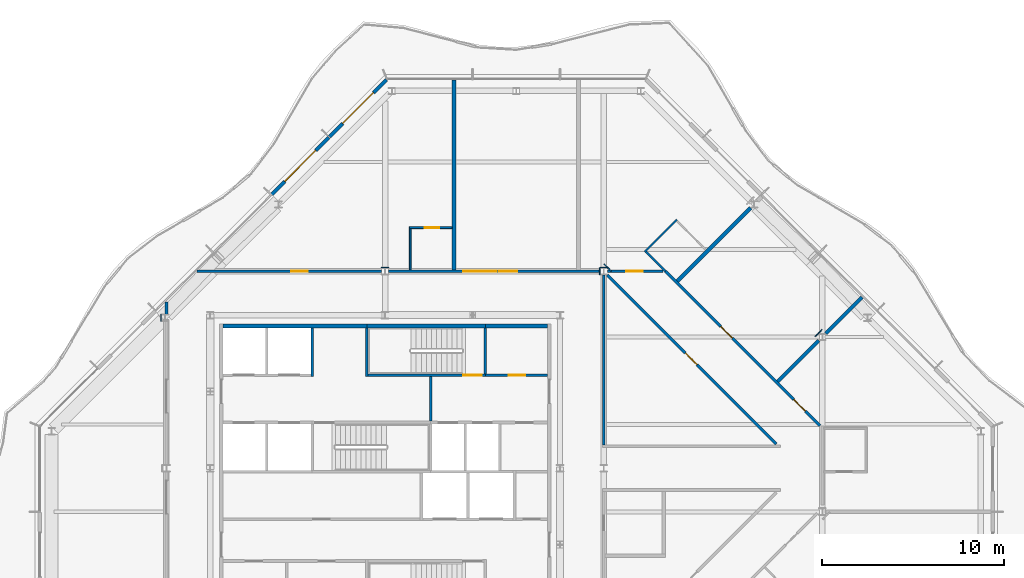
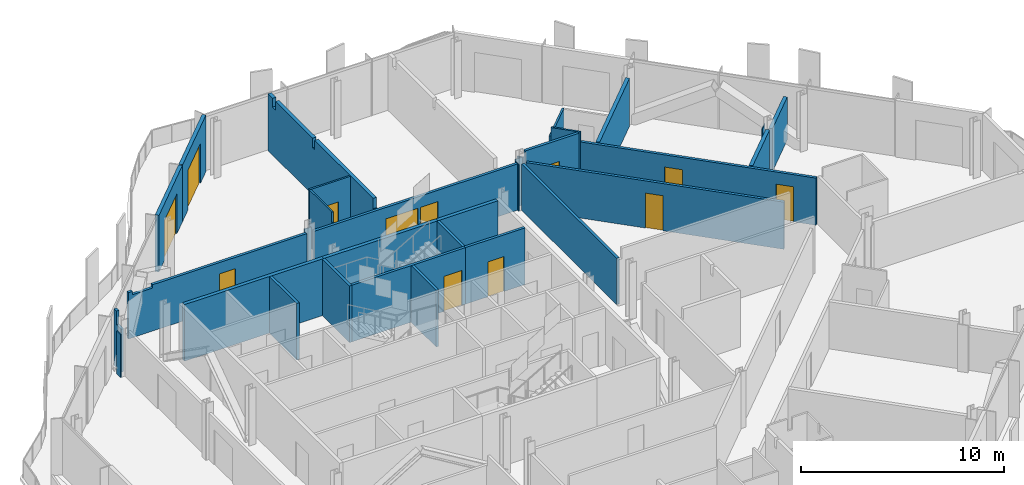
# One storey, part 11 of 17: 32 walls, 12 doors, 12 openings.
"""IFC4 building model written with IfcOpenShell, lengths in metres."""

from ifc_helpers import new_model, si_unit, direction, frame, frame_2d, origin, place, context, subcontext, project, spatial, polyline, rectangle, outline, extrude, material, layer, layer_set, type_object, element, fill, save


model = new_model("IFC4")

# Units and contexts
model_context = context("Model", 3, precision=1e-05, world=origin(), true_north=direction((0.0, 1.0)))
body_context = subcontext(model_context, "Body", "Model", "MODEL_VIEW")
ifc_project = project(units=[si_unit("LENGTHUNIT", "METRE"), si_unit("AREAUNIT", "SQUARE_METRE"), si_unit("VOLUMEUNIT", "CUBIC_METRE"), si_unit("PLANEANGLEUNIT", "RADIAN"), si_unit("MASSUNIT", "GRAM", prefix="KILO")], contexts=[model_context])

# Site, building, storey
site_placement = place(None, origin())
site = spatial("IfcSite", under=ifc_project, at=site_placement, CompositionType="ELEMENT")
building_placement = place(site_placement, origin())
building = spatial("IfcBuilding", under=site, at=building_placement, Name="Cairn Pilgrim Tower", CompositionType="ELEMENT")
storey_placement = place(building_placement, frame((0.0, 0.0, 292.199951171875)))
storey = spatial("IfcBuildingStorey", under=building, at=storey_placement, Name="L75", CompositionType="ELEMENT", Elevation=292.199951171875)

# Wall, opening, door
ifc_material_1 = material(Name="Bronze anodised aluminium insulated sandwich panel with mineral wool fill", Category="aluminium")
ifc_layer_1 = layer(ifc_material_1, 0.199951171875)
ifc_layer_set_1 = layer_set([ifc_layer_1], Name="BRONZE INFILL FRAME WALL 200")
wall_type_1 = type_object("IfcWallType", Name="BRONZE INFILL FRAME WALL 200", PredefinedType="NOTDEFINED", material=ifc_layer_set_1)
wall_1_placement = place(storey_placement, frame((7.275390625, 23.7216796875, 0.0), z_axis=(0.0, 0.0, 1.0), x_axis=(-0.707134392299, -0.707079168996, 0.0)))
wall_1 = element("IfcWall", 1, at=wall_1_placement, inside=storey, type_object=wall_type_1, Name="Bronze infill frame wall IW-NW1", PredefinedType="NOTDEFINED", context=body_context, shape_type="SweptSolid", body=[
    extrude(rectangle(XDim=4.4208984375, YDim=0.199951171875, at=frame_2d((2.21044921875, 0.0))), origin(), (0.0, 0.0, 1.0), 3.400146484375),
])
opening_1_placement = place(wall_1_placement, frame((1.00537109375, 0.0, 0.0)))
opening_1 = element("IfcOpeningElement", 2, at=opening_1_placement, cuts=wall_1, Name="Opening 7509B2", PredefinedType="OPENING", context=body_context, shape_type="SweptSolid", body=[
    extrude(rectangle(XDim=2.39990234375, YDim=2.39990234375, at=frame_2d((1.199951171875, 1.199951171875))), frame((0.0, 0.10986328125, 0.0), z_axis=(0.0, -1.0, 0.0), x_axis=(1.0, 0.0, 0.0)), (0.0, 0.0, 1.0), 0.219970703125),
])
ifc_material_2 = material(Name="Bronze anodised aluminium frame with tinted low-E glass", Category="aluminium")
door_type_1 = type_object("IfcDoorType", Name="BALCONY SLIDING DOOR 2400x2400", OperationType="DOUBLE_DOOR_SLIDING", PredefinedType="DOOR", material=ifc_material_2)
door_1_placement = place(opening_1_placement, origin())
door_1 = element("IfcDoor", 3, at=door_1_placement, inside=storey, type_object=door_type_1, Name="Balcony sliding door 7509B2", OperationType="SINGLE_SWING_LEFT", OverallHeight=2.39990234375, OverallWidth=2.39990234375, PredefinedType="DOOR", context=body_context, shape_type="SweptSolid", body=[
    extrude(rectangle(XDim=2.39990234375, YDim=2.39990234375, at=frame_2d((1.199951171875, 1.199951171875))), frame((0.0, 0.02490234375, 0.0), z_axis=(0.0, -1.0, 0.0), x_axis=(1.0, 0.0, 0.0)), (0.0, 0.0, 1.0), 0.050048828125),
])
fill(opening_1, door_1)

wall_2_placement = place(storey_placement, frame((4.106689453125, 20.55322265625, 0.0), z_axis=(0.0, 0.0, 1.0), x_axis=(-0.707079231393, -0.707134329907, 0.0)))
wall_2 = element("IfcWall", 4, at=wall_2_placement, inside=storey, type_object=wall_type_1, Name="Bronze infill frame wall IW-NW2", PredefinedType="NOTDEFINED", context=body_context, shape_type="SweptSolid", body=[
    extrude(rectangle(XDim=4.430908203125, YDim=0.199951171875, at=frame_2d((2.21533203125, 0.0))), origin(), (0.0, 0.0, 1.0), 3.400146484375),
])
opening_2_placement = place(wall_2_placement, frame((1.015380859375, 0.0, 0.0)))
opening_2 = element("IfcOpeningElement", 5, at=opening_2_placement, cuts=wall_2, Name="Opening 7509B", PredefinedType="OPENING", context=body_context, shape_type="SweptSolid", body=[
    extrude(rectangle(XDim=2.39990234375, YDim=2.39990234375, at=frame_2d((1.199951171875, 1.199951171875))), frame((0.0, 0.10986328125, 0.0), z_axis=(0.0, -1.0, 0.0), x_axis=(1.0, 0.0, 0.0)), (0.0, 0.0, 1.0), 0.219970703125),
])
door_2_placement = place(opening_2_placement, origin())
door_2 = element("IfcDoor", 6, at=door_2_placement, inside=storey, type_object=door_type_1, Name="Balcony sliding door 7509B", OperationType="SINGLE_SWING_LEFT", OverallHeight=2.39990234375, OverallWidth=2.39990234375, PredefinedType="DOOR", context=body_context, shape_type="SweptSolid", body=[
    extrude(rectangle(XDim=2.39990234375, YDim=2.39990234375, at=frame_2d((1.199951171875, 1.199951171875))), frame((0.0, 0.02490234375, 0.0), z_axis=(0.0, -1.0, 0.0), x_axis=(1.0, 0.0, 0.0)), (0.0, 0.0, 1.0), 0.050048828125),
])
fill(opening_2, door_2)

# Walls
ifc_material_3 = material(Name="Concrete C32/40", Category="concrete")
ifc_layer_2 = layer(ifc_material_3, 0.199951171875)
ifc_layer_set_2 = layer_set([ifc_layer_2], Name="CORE OUTER WALL 200 EI 120")
wall_type_2 = type_object("IfcWallType", Name="CORE OUTER WALL 200 EI 120", PredefinedType="SOLIDWALL", material=ifc_layer_set_2)
wall_3_placement = place(storey_placement, frame((-1.699951171875, 10.199951171875, 0.0), z_axis=(0.0, 0.0, 1.0), x_axis=(1.0, 0.0, 0.0)))
element("IfcWall", 7, at=wall_3_placement, inside=storey, type_object=wall_type_2, Name="CW:L75:H12-1", PredefinedType="SOLIDWALL", context=body_context, shape_type="SweptSolid", body=[
    extrude(rectangle(XDim=7.89990234375, YDim=0.199951171875, at=frame_2d((3.949951171875, 0.0))), origin(), (0.0, 0.0, 1.0), 3.400146484375),
])
wall_4_placement = place(storey_placement, frame((12.699951171875, 10.199951171875, 0.0), z_axis=(0.0, 0.0, 1.0), x_axis=(1.0, 0.0, 0.0)))
element("IfcWall", 8, at=wall_4_placement, inside=storey, type_object=wall_type_2, Name="CW:L75:H12-3", PredefinedType="SOLIDWALL", context=body_context, shape_type="SweptSolid", body=[
    extrude(rectangle(XDim=3.400146484375, YDim=0.199951171875, at=frame_2d((1.7001953125, 0.0))), origin(), (0.0, 0.0, 1.0), 3.400146484375),
])

# Wall, opening, door
ifc_layer_3 = layer(ifc_material_3, 0.14990234375)
ifc_layer_set_3 = layer_set([ifc_layer_3], Name="CORE SHAFT WALL 150 EI 120")
wall_type_3 = type_object("IfcWallType", Name="CORE SHAFT WALL 150 EI 120", PredefinedType="SOLIDWALL", material=ifc_layer_set_3)
wall_5_placement = place(storey_placement, frame((12.699951171875, 7.5, 0.0), z_axis=(0.0, 0.0, 1.0), x_axis=(1.0, 0.0, 0.0)))
wall_5 = element("IfcWall", 9, at=wall_5_placement, inside=storey, type_object=wall_type_3, Name="CW:L75:H11-2", PredefinedType="SOLIDWALL", context=body_context, shape_type="SweptSolid", body=[
    extrude(rectangle(XDim=3.400146484375, YDim=0.14990234375, at=frame_2d((1.7001953125, 0.0))), origin(), (0.0, 0.0, 1.0), 3.400146484375),
])
opening_3_placement = place(wall_5_placement, frame((1.300048828125, 0.0, 0.0)))
opening_3 = element("IfcOpeningElement", 10, at=opening_3_placement, cuts=wall_5, Name="Opening RD-R4E", PredefinedType="OPENING", context=body_context, shape_type="SweptSolid", body=[
    extrude(rectangle(XDim=0.89990234375, YDim=2.10009765625, at=frame_2d((0.449951171875, 1.050048828125))), frame((0.0, 0.0849609375, 0.0), z_axis=(0.0, -1.0, 0.0), x_axis=(1.0, 0.0, 0.0)), (0.0, 0.0, 1.0), 0.169921875),
])
ifc_material_4 = material(Name="Painted steel", Category="steel")
door_type_2 = type_object("IfcDoorType", Name="SERVICE ROOM DOOR 900x2100", OperationType="SINGLE_SWING_LEFT", PredefinedType="DOOR", material=ifc_material_4)
door_3_placement = place(opening_3_placement, origin())
door_3 = element("IfcDoor", 11, at=door_3_placement, inside=storey, type_object=door_type_2, Name="RD-R4E", OperationType="SINGLE_SWING_LEFT", OverallHeight=2.10009765625, OverallWidth=0.89990234375, PredefinedType="DOOR", context=body_context, shape_type="SweptSolid", body=[
    extrude(rectangle(XDim=0.89990234375, YDim=2.10009765625, at=frame_2d((0.449951171875, 1.050048828125))), frame((0.0, 0.02490234375, 0.0), z_axis=(0.0, -1.0, 0.0), x_axis=(1.0, 0.0, 0.0)), (0.0, 0.0, 1.0), 0.050048828125),
])
fill(opening_3, door_3)

# Walls
wall_6_placement = place(storey_placement, frame((3.199951171875, 7.425048828125, 0.0), z_axis=(0.0, 0.0, 1.0), x_axis=(0.0, 1.0, 0.0)))
element("IfcWall", 12, at=wall_6_placement, inside=storey, type_object=wall_type_3, Name="CW:L75:V18", PredefinedType="SOLIDWALL", context=body_context, shape_type="SweptSolid", body=[
    extrude(rectangle(XDim=2.675048828125, YDim=0.14990234375, at=frame_2d((1.33740234375, 0.0))), origin(), (0.0, 0.0, 1.0), 3.400146484375),
])
wall_7_placement = place(storey_placement, frame((9.699951171875, 4.97509765625, 0.0), z_axis=(0.0, 0.0, 1.0), x_axis=(0.0, 1.0, 0.0)))
element("IfcWall", 13, at=wall_7_placement, inside=storey, type_object=wall_type_3, Name="CW:L75:V23", PredefinedType="SOLIDWALL", context=body_context, shape_type="SweptSolid", body=[
    extrude(rectangle(XDim=2.449951171875, YDim=0.14990234375, at=frame_2d((1.22509765625, 0.0))), origin(), (0.0, 0.0, 1.0), 3.400146484375),
])
ifc_material_5 = material(Name="Gypsum partition")
ifc_layer_4 = layer(ifc_material_5, 0.10009765625)
ifc_layer_set_4 = layer_set([ifc_layer_4], Name="PARTITION 100 DRYWALL")
wall_type_4 = type_object("IfcWallType", Name="PARTITION 100 DRYWALL", PredefinedType="PARTITIONING", material=ifc_layer_set_4)
wall_8_placement = place(storey_placement, frame((22.593994140625, 13.199951171875, 0.0), z_axis=(0.0, 0.0, 1.0), x_axis=(-0.707106781187, 0.707106781187, 0.0)))
element("IfcWall", 14, at=wall_8_placement, inside=storey, type_object=wall_type_4, Name="PARTITION W053", PredefinedType="PARTITIONING", context=body_context, shape_type="SweptSolid", body=[
    extrude(rectangle(XDim=1.513916015625, YDim=0.10009765625, at=frame_2d((0.7568359375, 0.0))), origin(), (0.0, 0.0, 1.0), 3.400146484375),
])
wall_9_placement = place(storey_placement, frame((8.5859375, 13.27490234375, 0.0), z_axis=(0.0, 0.0, 1.0), x_axis=(0.0, 1.0, 0.0)))
element("IfcWall", 15, at=wall_9_placement, inside=storey, type_object=wall_type_4, Name="PARTITION W054", PredefinedType="PARTITIONING", context=body_context, shape_type="SweptSolid", body=[
    extrude(outline(polyline([(0.0, 0.0), (2.275146484375, 0.0), (2.27490234375, 3.400146484375), (0.074951171875, 3.400146484375), (0.072998046875, 2.780029296875), (0.0, 2.780029296875), (0.0, 0.0)])), frame((0.0, 0.050048828125, 0.0), z_axis=(0.0, -1.0, 0.0), x_axis=(1.0, 0.0, 0.0)), (0.0, 0.0, 1.0), 0.10009765625),
])
wall_10_placement = place(storey_placement, frame((21.45263671875, 14.2705078125, 0.0), z_axis=(0.0, 0.0, 1.0), x_axis=(0.707057949532, 0.707155609469, 0.0)))
element("IfcWall", 16, at=wall_10_placement, inside=storey, type_object=wall_type_4, Name="PARTITION W057", PredefinedType="PARTITIONING", context=body_context, shape_type="SweptSolid", body=[
    extrude(rectangle(XDim=2.5, YDim=0.10009765625, at=frame_2d((1.25, 0.0))), origin(), (0.0, 0.0, 1.0), 2.880126953125),
])

# Wall, opening, door
wall_11_placement = place(storey_placement, frame((8.535888671875, 15.60009765625, 0.0), z_axis=(0.0, 0.0, 1.0), x_axis=(1.0, 0.0, 0.0)))
wall_11 = element("IfcWall", 17, at=wall_11_placement, inside=storey, type_object=wall_type_4, Name="PARTITION W059", PredefinedType="PARTITIONING", context=body_context, shape_type="SweptSolid", body=[
    extrude(rectangle(XDim=2.35009765625, YDim=0.10009765625, at=frame_2d((1.175048828125, 0.0))), origin(), (0.0, 0.0, 1.0), 3.400146484375),
])
opening_4_placement = place(wall_11_placement, frame((0.85009765625, 0.0, 0.0)))
opening_4 = element("IfcOpeningElement", 18, at=opening_4_placement, cuts=wall_11, Name="Opening 7509A", PredefinedType="OPENING", context=body_context, shape_type="SweptSolid", body=[
    extrude(rectangle(XDim=0.800048828125, YDim=2.10009765625, at=frame_2d((0.39990234375, 1.050048828125))), frame((0.0, 0.06005859375, 0.0), z_axis=(0.0, -1.0, 0.0), x_axis=(1.0, 0.0, 0.0)), (0.0, 0.0, 1.0), 0.1201171875),
])
ifc_material_6 = material(Name="Timber door leaf", Category="wood")
door_type_3 = type_object("IfcDoorType", Name="WC DOOR 800x2100", OperationType="NOTDEFINED", PredefinedType="DOOR", material=ifc_material_6)
door_4_placement = place(opening_4_placement, origin())
door_4 = element("IfcDoor", 19, at=door_4_placement, inside=storey, type_object=door_type_3, Name="DOOR 7509A", OperationType="SINGLE_SWING_LEFT", OverallHeight=2.10009765625, OverallWidth=0.800048828125, PredefinedType="DOOR", context=body_context, shape_type="SweptSolid", body=[
    extrude(rectangle(XDim=0.800048828125, YDim=2.10009765625, at=frame_2d((0.39990234375, 1.050048828125))), frame((0.0, 0.02490234375, 0.0), z_axis=(0.0, -1.0, 0.0), x_axis=(1.0, 0.0, 0.0)), (0.0, 0.0, 1.0), 0.050048828125),
])
fill(opening_4, door_4)

# Wall
ifc_layer_5 = layer(ifc_material_5, 0.14990234375)
ifc_layer_set_5 = layer_set([ifc_layer_5], Name="PARTITION 150 DRYWALL EI 60")
wall_type_5 = type_object("IfcWallType", Name="PARTITION 150 DRYWALL EI 60", PredefinedType="PARTITIONING", material=ifc_layer_set_5)
wall_12_placement = place(storey_placement, frame((19.199951171875, 3.675048828125, 0.0), z_axis=(0.0, 0.0, 1.0), x_axis=(0.0, 1.0, 0.0)))
element("IfcWall", 20, at=wall_12_placement, inside=storey, type_object=wall_type_5, Name="PARTITION W042", PredefinedType="PARTITIONING", context=body_context, shape_type="SweptSolid", body=[
    extrude(rectangle(XDim=9.33740234375, YDim=0.14990234375, at=frame_2d((4.668701171875, 0.0))), origin(), (0.0, 0.0, 1.0), 2.780029296875),
])

# Wall, opening, door
wall_13_placement = place(storey_placement, frame((28.672119140625, 3.72802734375, 0.0), z_axis=(0.0, 0.0, 1.0), x_axis=(-0.707106781187, 0.707106781187, 0.0)))
wall_13 = element("IfcWall", 21, at=wall_13_placement, inside=storey, type_object=wall_type_5, Name="PARTITION W043", PredefinedType="PARTITIONING", context=body_context, shape_type="SweptSolid", body=[
    extrude(rectangle(XDim=13.12353515625, YDim=0.14990234375, at=frame_2d((6.561767578125, 0.0))), origin(), (0.0, 0.0, 1.0), 2.830078125),
])
opening_5_placement = place(wall_13_placement, frame((6.156982421875, 0.0, 0.0)))
opening_5 = element("IfcOpeningElement", 22, at=opening_5_placement, cuts=wall_13, Name="Opening 7514", PredefinedType="OPENING", context=body_context, shape_type="SweptSolid", body=[
    extrude(rectangle(XDim=0.89990234375, YDim=2.10009765625, at=frame_2d((0.449951171875, 1.050048828125))), frame((0.0, 0.0849609375, 0.0), z_axis=(0.0, -1.0, 0.0), x_axis=(1.0, 0.0, 0.0)), (0.0, 0.0, 1.0), 0.169921875),
])
door_type_4 = type_object("IfcDoorType", Name="SERVICE DOOR 900x2100 FD30S", OperationType="NOTDEFINED", PredefinedType="DOOR", material=ifc_material_6)
door_5_placement = place(opening_5_placement, origin())
door_5 = element("IfcDoor", 23, at=door_5_placement, inside=storey, type_object=door_type_4, Name="DOOR 7514", OperationType="SINGLE_SWING_RIGHT", OverallHeight=2.10009765625, OverallWidth=0.89990234375, PredefinedType="DOOR", context=body_context, shape_type="SweptSolid", body=[
    extrude(rectangle(XDim=0.89990234375, YDim=2.10009765625, at=frame_2d((0.449951171875, 1.050048828125))), frame((0.0, 0.02490234375, 0.0), z_axis=(0.0, -1.0, 0.0), x_axis=(1.0, 0.0, 0.0)), (0.0, 0.0, 1.0), 0.050048828125),
])
fill(opening_5, door_5)

# Wall, openings, doors
wall_14_placement = place(storey_placement, frame((31.072021484375, 4.721923828125, 0.0), z_axis=(0.0, 0.0, 1.0), x_axis=(-0.707106781187, 0.707106781187, 0.0)))
wall_14 = element("IfcWall", 24, at=wall_14_placement, inside=storey, type_object=wall_type_5, Name="PARTITION W045", PredefinedType="PARTITIONING", context=body_context, shape_type="SweptSolid", body=[
    extrude(rectangle(XDim=11.98974609375, YDim=0.14990234375, at=frame_2d((5.994873046875, 0.0))), origin(), (0.0, 0.0, 1.0), 2.830078125),
])
opening_6_placement = place(wall_14_placement, frame((1.138671875, 0.0, 0.0)))
opening_6 = element("IfcOpeningElement", 25, at=opening_6_placement, cuts=wall_14, Name="Opening 7506", PredefinedType="OPENING", context=body_context, shape_type="SweptSolid", body=[
    extrude(rectangle(XDim=0.89990234375, YDim=2.10009765625, at=frame_2d((0.449951171875, 1.050048828125))), frame((0.0, 0.0849609375, 0.0), z_axis=(0.0, -1.0, 0.0), x_axis=(1.0, 0.0, 0.0)), (0.0, 0.0, 1.0), 0.169921875),
])
opening_7_placement = place(wall_14_placement, frame((6.805908203125, 0.0, 0.0)))
opening_7 = element("IfcOpeningElement", 26, at=opening_7_placement, cuts=wall_14, Name="Opening 7507", PredefinedType="OPENING", context=body_context, shape_type="SweptSolid", body=[
    extrude(rectangle(XDim=0.89990234375, YDim=2.10009765625, at=frame_2d((0.449951171875, 1.050048828125))), frame((0.0, 0.0849609375, 0.0), z_axis=(0.0, -1.0, 0.0), x_axis=(1.0, 0.0, 0.0)), (0.0, 0.0, 1.0), 0.169921875),
])
door_type_5 = type_object("IfcDoorType", Name="ROOM DOOR 900x2100 FD30S", OperationType="NOTDEFINED", PredefinedType="DOOR", material=ifc_material_6)
door_6_placement = place(opening_6_placement, frame((0.89990234375, 0.0, 0.0), z_axis=(0.0, 0.0, 1.0), x_axis=(-1.0, 0.0, 0.0)))
door_6 = element("IfcDoor", 27, at=door_6_placement, inside=storey, type_object=door_type_5, Name="DOOR 7506", OperationType="SINGLE_SWING_LEFT", OverallHeight=2.10009765625, OverallWidth=0.89990234375, PredefinedType="DOOR", context=body_context, shape_type="SweptSolid", body=[
    extrude(rectangle(XDim=0.89990234375, YDim=2.10009765625, at=frame_2d((0.449951171875, 1.050048828125))), frame((0.0, 0.02490234375, 0.0), z_axis=(0.0, -1.0, 0.0), x_axis=(1.0, 0.0, 0.0)), (0.0, 0.0, 1.0), 0.050048828125),
])
fill(opening_6, door_6)
door_7_placement = place(opening_7_placement, frame((0.89990234375, 0.0, 0.0), z_axis=(0.0, 0.0, 1.0), x_axis=(-1.0, 0.0, 0.0)))
door_7 = element("IfcDoor", 28, at=door_7_placement, inside=storey, type_object=door_type_4, Name="DOOR 7507", OperationType="SINGLE_SWING_LEFT", OverallHeight=2.10009765625, OverallWidth=0.89990234375, PredefinedType="DOOR", context=body_context, shape_type="SweptSolid", body=[
    extrude(rectangle(XDim=0.89990234375, YDim=2.10009765625, at=frame_2d((0.449951171875, 1.050048828125))), frame((0.0, 0.02490234375, 0.0), z_axis=(0.0, -1.0, 0.0), x_axis=(1.0, 0.0, 0.0)), (0.0, 0.0, 1.0), 0.050048828125),
])
fill(opening_7, door_7)

# Wall
wall_15_placement = place(storey_placement, frame((-4.800048828125, 10.83544921875, 0.0), z_axis=(0.0, 0.0, 1.0), x_axis=(0.0, 1.0, 0.0)))
element("IfcWall", 29, at=wall_15_placement, inside=storey, type_object=wall_type_5, Name="PARTITION W048", PredefinedType="PARTITIONING", context=body_context, shape_type="SweptSolid", body=[
    extrude(outline(polyline([(0.0, 0.0), (0.690673828125, 0.0), (0.690673828125, 3.400146484375), (0.461669921875, 3.400146484375), (0.459716796875, 2.580078125), (0.0, 2.580078125), (0.0, 0.0)])), frame((0.0, 0.074951171875, 0.0), z_axis=(0.0, -1.0, 0.0), x_axis=(1.0, 0.0, 0.0)), (0.0, 0.0, 1.0), 0.14990234375),
])

# Wall, opening, door
wall_16_placement = place(storey_placement, frame((-3.126220703125, 13.199951171875, 0.0), z_axis=(0.0, 0.0, 1.0), x_axis=(1.0, 0.0, 0.0)))
wall_16 = element("IfcWall", 30, at=wall_16_placement, inside=storey, type_object=wall_type_5, Name="PARTITION W050", PredefinedType="PARTITIONING", context=body_context, shape_type="SweptSolid", body=[
    extrude(outline(polyline([(0.0, 0.0), (10.129150390625, 0.0), (10.129150390625, 2.780029296875), (1.368896484375, 2.780029296875), (1.366943359375, 2.580078125), (0.22900390625, 2.580078125), (0.226806640625, 2.780029296875), (0.0, 2.780029296875), (0.0, 0.0)])), frame((0.0, 0.074951171875, 0.0), z_axis=(0.0, -1.0, 0.0), x_axis=(1.0, 0.0, 0.0)), (0.0, 0.0, 1.0), 0.14990234375),
])
opening_8_placement = place(wall_16_placement, frame((5.169189453125, 0.0, 0.0)))
opening_8 = element("IfcOpeningElement", 31, at=opening_8_placement, cuts=wall_16, Name="Opening 7509", PredefinedType="OPENING", context=body_context, shape_type="SweptSolid", body=[
    extrude(rectangle(XDim=0.89990234375, YDim=2.10009765625, at=frame_2d((0.449951171875, 1.050048828125))), frame((0.0, 0.0849609375, 0.0), z_axis=(0.0, -1.0, 0.0), x_axis=(1.0, 0.0, 0.0)), (0.0, 0.0, 1.0), 0.169921875),
])
door_8_placement = place(opening_8_placement, origin())
door_8 = element("IfcDoor", 32, at=door_8_placement, inside=storey, type_object=door_type_5, Name="DOOR 7509", OperationType="SINGLE_SWING_LEFT", OverallHeight=2.10009765625, OverallWidth=0.89990234375, PredefinedType="DOOR", context=body_context, shape_type="SweptSolid", body=[
    extrude(rectangle(XDim=0.89990234375, YDim=2.10009765625, at=frame_2d((0.449951171875, 1.050048828125))), frame((0.0, 0.02490234375, 0.0), z_axis=(0.0, -1.0, 0.0), x_axis=(1.0, 0.0, 0.0)), (0.0, 0.0, 1.0), 0.050048828125),
])
fill(opening_8, door_8)

# Wall, openings, doors
wall_17_placement = place(storey_placement, frame((7.39697265625, 13.199951171875, 0.0), z_axis=(0.0, 0.0, 1.0), x_axis=(1.0, 0.0, 0.0)))
wall_17 = element("IfcWall", 33, at=wall_17_placement, inside=storey, type_object=wall_type_5, Name="PARTITION W051", PredefinedType="PARTITIONING", context=body_context, shape_type="SweptSolid", body=[
    extrude(rectangle(XDim=11.60595703125, YDim=0.14990234375, at=frame_2d((5.802978515625, 0.0))), origin(), (0.0, 0.0, 1.0), 2.780029296875),
])
opening_9_placement = place(wall_17_placement, frame((4.10302734375, 0.0, 0.0)))
opening_9 = element("IfcOpeningElement", 34, at=opening_9_placement, cuts=wall_17, Name="Opening 7501", PredefinedType="OPENING", context=body_context, shape_type="SweptSolid", body=[
    extrude(rectangle(XDim=1.800048828125, YDim=2.10009765625, at=frame_2d((0.89990234375, 1.050048828125))), frame((0.0, 0.0849609375, 0.0), z_axis=(0.0, -1.0, 0.0), x_axis=(1.0, 0.0, 0.0)), (0.0, 0.0, 1.0), 0.169921875),
])
opening_10_placement = place(wall_17_placement, frame((6.052978515625, 0.0, 0.0)))
opening_10 = element("IfcOpeningElement", 35, at=opening_10_placement, cuts=wall_17, Name="Opening 7501A", PredefinedType="OPENING", context=body_context, shape_type="SweptSolid", body=[
    extrude(rectangle(XDim=1.0, YDim=2.10009765625, at=frame_2d((0.5, 1.050048828125))), frame((0.0, 0.0849609375, 0.0), z_axis=(0.0, -1.0, 0.0), x_axis=(1.0, 0.0, 0.0)), (0.0, 0.0, 1.0), 0.169921875),
])
door_type_6 = type_object("IfcDoorType", Name="DOOR PAIR 1800x2100 FD60S", OperationType="NOTDEFINED", PredefinedType="DOOR", material=ifc_material_6)
door_9_placement = place(opening_9_placement, origin())
door_9 = element("IfcDoor", 36, at=door_9_placement, inside=storey, type_object=door_type_6, Name="DOOR 7501", OperationType="DOUBLE_DOOR_SINGLE_SWING", OverallHeight=2.10009765625, OverallWidth=1.800048828125, PredefinedType="DOOR", context=body_context, shape_type="SweptSolid", body=[
    extrude(rectangle(XDim=1.800048828125, YDim=2.10009765625, at=frame_2d((0.89990234375, 1.050048828125))), frame((0.0, 0.02490234375, 0.0), z_axis=(0.0, -1.0, 0.0), x_axis=(1.0, 0.0, 0.0)), (0.0, 0.0, 1.0), 0.050048828125),
])
fill(opening_9, door_9)
ifc_material_7 = material(Name="Steel-faced fire door leaf", Category="steel")
door_type_7 = type_object("IfcDoorType", Name="FIRE DOOR 1000x2100 FD60S", OperationType="NOTDEFINED", PredefinedType="DOOR", material=ifc_material_7)
door_10_placement = place(opening_10_placement, origin())
door_10 = element("IfcDoor", 37, at=door_10_placement, inside=storey, type_object=door_type_7, Name="DOOR 7501A", OperationType="SINGLE_SWING_RIGHT", OverallHeight=2.10009765625, OverallWidth=1.0, PredefinedType="DOOR", context=body_context, shape_type="SweptSolid", body=[
    extrude(rectangle(XDim=1.0, YDim=2.10009765625, at=frame_2d((0.5, 1.050048828125))), frame((0.0, 0.02490234375, 0.0), z_axis=(0.0, -1.0, 0.0), x_axis=(1.0, 0.0, 0.0)), (0.0, 0.0, 1.0), 0.050048828125),
])
fill(opening_10, door_10)

# Wall, opening, door
wall_18_placement = place(storey_placement, frame((19.39697265625, 13.199951171875, 0.0), z_axis=(0.0, 0.0, 1.0), x_axis=(1.0, 0.0, 0.0)))
wall_18 = element("IfcWall", 38, at=wall_18_placement, inside=storey, type_object=wall_type_5, Name="PARTITION W052", PredefinedType="PARTITIONING", context=body_context, shape_type="SweptSolid", body=[
    extrude(rectangle(XDim=3.05126953125, YDim=0.14990234375, at=frame_2d((1.525634765625, 0.0))), origin(), (0.0, 0.0, 1.0), 3.400146484375),
])
opening_11_placement = place(wall_18_placement, frame((1.050048828125, 0.0, 0.0)))
opening_11 = element("IfcOpeningElement", 39, at=opening_11_placement, cuts=wall_18, Name="Opening 7508", PredefinedType="OPENING", context=body_context, shape_type="SweptSolid", body=[
    extrude(rectangle(XDim=0.89990234375, YDim=2.10009765625, at=frame_2d((0.449951171875, 1.050048828125))), frame((0.0, 0.0849609375, 0.0), z_axis=(0.0, -1.0, 0.0), x_axis=(1.0, 0.0, 0.0)), (0.0, 0.0, 1.0), 0.169921875),
])
door_11_placement = place(opening_11_placement, origin())
door_11 = element("IfcDoor", 40, at=door_11_placement, inside=storey, type_object=door_type_5, Name="DOOR 7508", OperationType="SINGLE_SWING_LEFT", OverallHeight=2.10009765625, OverallWidth=0.89990234375, PredefinedType="DOOR", context=body_context, shape_type="SweptSolid", body=[
    extrude(rectangle(XDim=0.89990234375, YDim=2.10009765625, at=frame_2d((0.449951171875, 1.050048828125))), frame((0.0, 0.02490234375, 0.0), z_axis=(0.0, -1.0, 0.0), x_axis=(1.0, 0.0, 0.0)), (0.0, 0.0, 1.0), 0.050048828125),
])
fill(opening_11, door_11)

# Walls
ifc_layer_6 = layer(ifc_material_5, 0.050048828125)
ifc_layer_set_6 = layer_set([ifc_layer_6], Name="PARTITION 50 DRYWALL EI 60")
wall_type_6 = type_object("IfcWallType", Name="PARTITION 50 DRYWALL EI 60", PredefinedType="PARTITIONING", material=ifc_layer_set_6)
wall_19_placement = place(storey_placement, frame((-5.09619140625, 10.467529296875, 0.0), z_axis=(0.0, 0.0, 1.0), x_axis=(0.0, 1.0, 0.0)))
element("IfcWall", 41, at=wall_19_placement, inside=storey, type_object=wall_type_6, Name="COLUMN CASING WC10", PredefinedType="PARTITIONING", context=body_context, shape_type="SweptSolid", body=[
    extrude(rectangle(XDim=0.367919921875, YDim=0.050048828125, at=frame_2d((0.18408203125, 0.0))), origin(), (0.0, 0.0, 1.0), 2.580078125),
])
wall_20_placement = place(storey_placement, frame((18.97802734375, 13.012451171875, 0.0), z_axis=(0.0, 0.0, 1.0), x_axis=(0.0, 1.0, 0.0)))
element("IfcWall", 42, at=wall_20_placement, inside=storey, type_object=wall_type_6, Name="COLUMN CASING WC16", PredefinedType="PARTITIONING", context=body_context, shape_type="SweptSolid", body=[
    extrude(rectangle(XDim=0.375, YDim=0.050048828125, at=frame_2d((0.1875, 0.0))), origin(), (0.0, 0.0, 1.0), 2.780029296875),
])
wall_21_placement = place(storey_placement, frame((19.602294921875, 13.2177734375, 0.0), z_axis=(0.0, 0.0, 1.0), x_axis=(-0.707106781187, 0.707106781187, 0.0)))
element("IfcWall", 43, at=wall_21_placement, inside=storey, type_object=wall_type_6, Name="COLUMN CASING WC17", PredefinedType="PARTITIONING", context=body_context, shape_type="SweptSolid", body=[
    extrude(rectangle(XDim=0.543701171875, YDim=0.050048828125, at=frame_2d((0.27197265625, 0.0))), origin(), (0.0, 0.0, 1.0), 2.880126953125),
])
wall_22_placement = place(storey_placement, frame((30.7978515625, 9.61767578125, 0.0), z_axis=(0.0, 0.0, 1.0), x_axis=(0.707106781187, 0.707106781187, 0.0)))
element("IfcWall", 44, at=wall_22_placement, inside=storey, type_object=wall_type_6, Name="COLUMN CASING WC18", PredefinedType="PARTITIONING", context=body_context, shape_type="SweptSolid", body=[
    extrude(rectangle(XDim=0.543701171875, YDim=0.050048828125, at=frame_2d((0.27197265625, 0.0))), origin(), (0.0, 0.0, 1.0), 2.830078125),
])
for number, where, z_axis, x_axis, name in (
    (45, (7.0029296875, 13.41259765625, 0.0), (0.0, 0.0, 1.0), (1.0, 0.0, 0.0), "COLUMN CASING WC20"),
    (46, (19.0029296875, 13.41259765625, 0.0), (0.0, 0.0, 1.0), (1.0, 0.0, 0.0), "COLUMN CASING WC21"),
):
    element("IfcWall", number, at=place(storey_placement, frame(where, z_axis=z_axis, x_axis=x_axis)), inside=storey, type_object=wall_type_6, Name=name, PredefinedType="PARTITIONING", context=body_context, shape_type="SweptSolid", body=[
        extrude(rectangle(XDim=0.39404296875, YDim=0.050048828125, at=frame_2d((0.197021484375, 0.0))), origin(), (0.0, 0.0, 1.0), 2.880126953125),
    ])
ifc_layer_7 = layer(ifc_material_5, 0.199951171875)
ifc_layer_set_7 = layer_set([ifc_layer_7], Name="SHAFT WALL 200 GYPSUM EI 60")
wall_type_7 = type_object("IfcWallType", Name="SHAFT WALL 200 GYPSUM EI 60", PredefinedType="PARTITIONING", material=ifc_layer_set_7)
wall_23_placement = place(storey_placement, frame((28.75, 7.14990234375, 0.0), z_axis=(0.0, 0.0, 1.0), x_axis=(0.707106781187, 0.707106781187, 0.0)))
element("IfcWall", 47, at=wall_23_placement, inside=storey, type_object=wall_type_7, Name="PARTITION W046", PredefinedType="PARTITIONING", context=body_context, shape_type="SweptSolid", body=[
    extrude(rectangle(XDim=3.193115234375, YDim=0.199951171875, at=frame_2d((1.5966796875, 0.0))), origin(), (0.0, 0.0, 1.0), 2.880126953125),
])
wall_24_placement = place(storey_placement, frame((31.392333984375, 9.792236328125, 0.0), z_axis=(0.0, 0.0, 1.0), x_axis=(0.707106781187, 0.707106781187, 0.0)))
element("IfcWall", 48, at=wall_24_placement, inside=storey, type_object=wall_type_7, Name="PARTITION W047", PredefinedType="PARTITIONING", context=body_context, shape_type="SweptSolid", body=[
    extrude(rectangle(XDim=2.812255859375, YDim=0.199951171875, at=frame_2d((1.40625, 0.0))), origin(), (0.0, 0.0, 1.0), 2.580078125),
])
wall_25_placement = place(storey_placement, frame((23.238037109375, 12.662109375, 0.0), z_axis=(0.0, 0.0, 1.0), x_axis=(0.707106781187, 0.707106781187, 0.0)))
element("IfcWall", 49, at=wall_25_placement, inside=storey, type_object=wall_type_7, Name="PARTITION W049", PredefinedType="PARTITIONING", context=body_context, shape_type="SweptSolid", body=[
    extrude(rectangle(XDim=5.6904296875, YDim=0.199951171875, at=frame_2d((2.84521484375, 0.0))), origin(), (0.0, 0.0, 1.0), 2.880126953125),
])
wall_26_placement = place(storey_placement, frame((10.986083984375, 13.27490234375, 0.0), z_axis=(0.0, 0.0, 1.0), x_axis=(0.0, 1.0, 0.0)))
element("IfcWall", 50, at=wall_26_placement, inside=storey, type_object=wall_type_7, Name="PARTITION W055", PredefinedType="PARTITIONING", context=body_context, shape_type="SweptSolid", body=[
    extrude(outline(polyline([(0.0, 0.0), (10.427978515625, 0.0), (10.427978515625, 3.400146484375), (9.97509765625, 3.400146484375), (9.972900390625, 2.880126953125), (9.675048828125, 2.880126953125), (9.673095703125, 3.400146484375), (6.030029296875, 3.400146484375), (6.028076171875, 2.830078125), (5.820068359375, 2.830078125), (5.818115234375, 3.400146484375), (0.074951171875, 3.400146484375), (0.072998046875, 2.780029296875), (0.0, 2.780029296875), (0.0, 0.0)])), frame((0.0, 0.10009765625, 0.0), z_axis=(0.0, -1.0, 0.0), x_axis=(1.0, 0.0, 0.0)), (0.0, 0.0, 1.0), 0.199951171875),
])

# Wall, opening, door
ifc_material_8 = material(Name="Concrete C35/45", Category="concrete")
ifc_layer_8 = layer(ifc_material_8, 0.14990234375)
ifc_layer_set_8 = layer_set([ifc_layer_8], Name="STAIR SHAFT WALL 150 EI 120")
wall_type_8 = type_object("IfcWallType", Name="STAIR SHAFT WALL 150 EI 120", PredefinedType="SOLIDWALL", material=ifc_layer_set_8)
wall_27_placement = place(storey_placement, frame((6.27490234375, 7.5, 0.0), z_axis=(0.0, 0.0, 1.0), x_axis=(1.0, 0.0, 0.0)))
wall_27 = element("IfcWall", 51, at=wall_27_placement, inside=storey, type_object=wall_type_8, Name="CW:L75:H11-1", PredefinedType="SOLIDWALL", context=body_context, shape_type="SweptSolid", body=[
    extrude(rectangle(XDim=6.425048828125, YDim=0.14990234375, at=frame_2d((3.21240234375, 0.0))), origin(), (0.0, 0.0, 1.0), 3.400146484375),
])
opening_12_placement = place(wall_27_placement, frame((5.22509765625, 0.0, 0.0)))
opening_12 = element("IfcOpeningElement", 52, at=opening_12_placement, cuts=wall_27, Name="Opening SD-C", PredefinedType="OPENING", context=body_context, shape_type="SweptSolid", body=[
    extrude(rectangle(XDim=1.0, YDim=2.10009765625, at=frame_2d((0.5, 1.050048828125))), frame((0.0, 0.0849609375, 0.0), z_axis=(0.0, -1.0, 0.0), x_axis=(1.0, 0.0, 0.0)), (0.0, 0.0, 1.0), 0.169921875),
])
door_type_8 = type_object("IfcDoorType", Name="STAIR DOOR FD60S 1000x2100", OperationType="SINGLE_SWING_LEFT", PredefinedType="DOOR", material=ifc_material_4)
door_12_placement = place(opening_12_placement, origin())
door_12 = element("IfcDoor", 53, at=door_12_placement, inside=storey, type_object=door_type_8, Name="SD-C", OperationType="SINGLE_SWING_RIGHT", OverallHeight=2.10009765625, OverallWidth=1.0, PredefinedType="DOOR", context=body_context, shape_type="SweptSolid", body=[
    extrude(rectangle(XDim=1.0, YDim=2.10009765625, at=frame_2d((0.5, 1.050048828125))), frame((0.0, 0.02490234375, 0.0), z_axis=(0.0, -1.0, 0.0), x_axis=(1.0, 0.0, 0.0)), (0.0, 0.0, 1.0), 0.050048828125),
])
fill(opening_12, door_12)

# Walls
wall_28_placement = place(storey_placement, frame((6.199951171875, 7.425048828125, 0.0), z_axis=(0.0, 0.0, 1.0), x_axis=(0.0, 1.0, 0.0)))
element("IfcWall", 54, at=wall_28_placement, inside=storey, type_object=wall_type_8, Name="CW:L75:V20", PredefinedType="SOLIDWALL", context=body_context, shape_type="SweptSolid", body=[
    extrude(rectangle(XDim=2.675048828125, YDim=0.14990234375, at=frame_2d((1.33740234375, 0.0))), origin(), (0.0, 0.0, 1.0), 3.400146484375),
])
wall_29_placement = place(storey_placement, frame((12.699951171875, 7.574951171875, 0.0), z_axis=(0.0, 0.0, 1.0), x_axis=(0.0, 1.0, 0.0)))
element("IfcWall", 55, at=wall_29_placement, inside=storey, type_object=wall_type_8, Name="CW:L75:V27", PredefinedType="SOLIDWALL", context=body_context, shape_type="SweptSolid", body=[
    extrude(rectangle(XDim=2.525146484375, YDim=0.14990234375, at=frame_2d((1.2626953125, 0.0))), origin(), (0.0, 0.0, 1.0), 3.400146484375),
])
ifc_layer_9 = layer(ifc_material_8, 0.199951171875)
ifc_layer_set_9 = layer_set([ifc_layer_9], Name="STAIR SHAFT WALL 200 EI 120")
wall_type_9 = type_object("IfcWallType", Name="STAIR SHAFT WALL 200 EI 120", PredefinedType="SOLIDWALL", material=ifc_layer_set_9)
wall_30_placement = place(storey_placement, frame((6.199951171875, 10.199951171875, 0.0), z_axis=(0.0, 0.0, 1.0), x_axis=(1.0, 0.0, 0.0)))
element("IfcWall", 56, at=wall_30_placement, inside=storey, type_object=wall_type_9, Name="CW:L75:H12-2", PredefinedType="SOLIDWALL", context=body_context, shape_type="SweptSolid", body=[
    extrude(rectangle(XDim=6.5, YDim=0.199951171875, at=frame_2d((3.25, 0.0))), origin(), (0.0, 0.0, 1.0), 3.400146484375),
])

save(model, "model.ifc")
